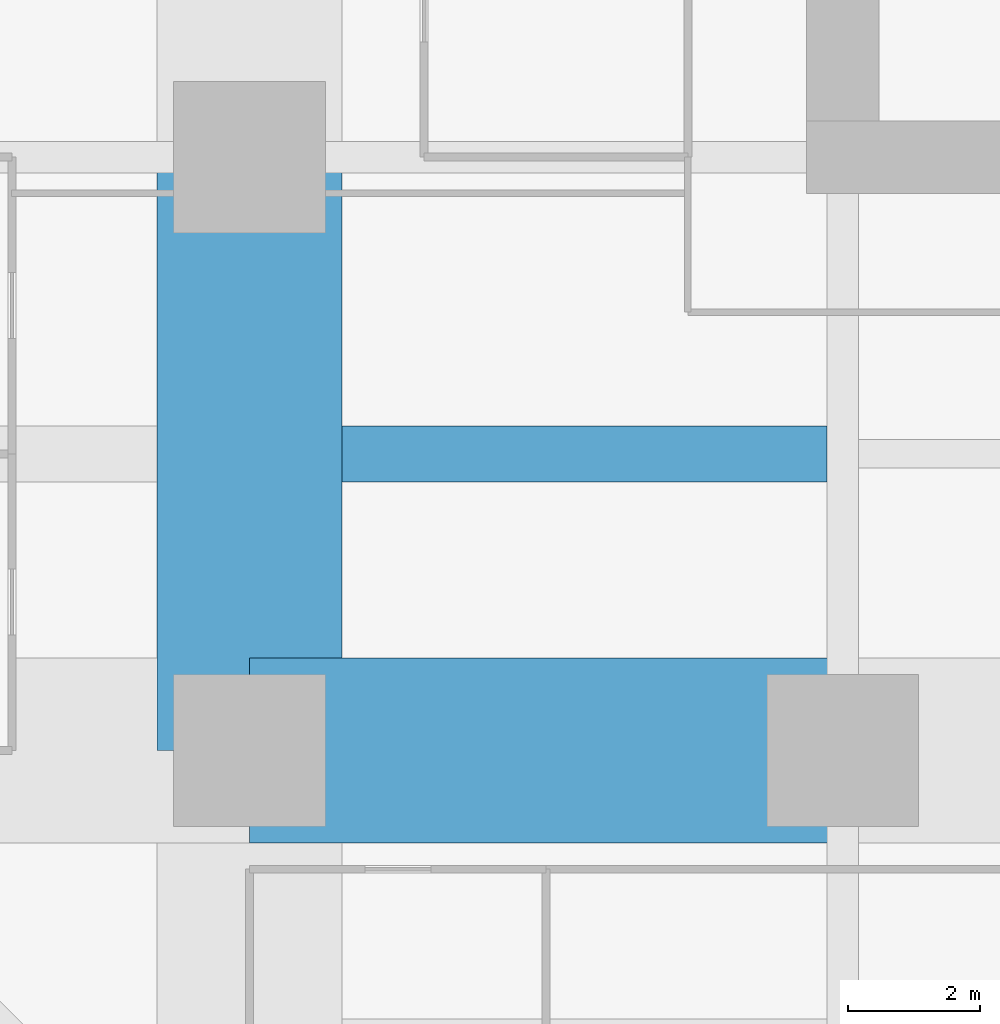
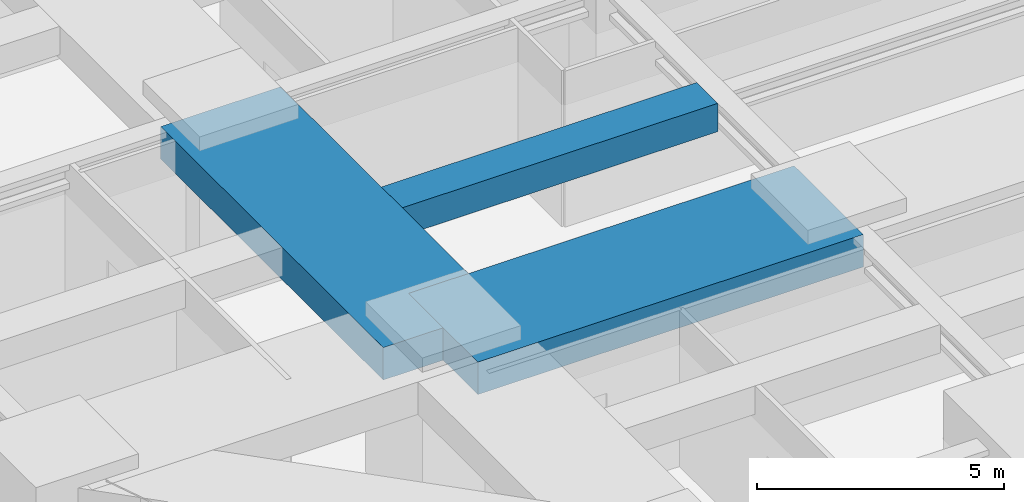
# One storey, part 5 of 42: 3 beams.
"""IFC4 building model written with IfcOpenShell, lengths in metres."""

from ifc_helpers import new_model, si_unit, direction, frame, origin, origin_2d, place, context, subcontext, project, spatial, rectangle, extrude, material, material_profile, profile_set, type_object, element, save


model = new_model("IFC4")

# Units and contexts
model_context = context("Model", 3, precision=1e-05, world=origin(), true_north=direction((0.0, 1.0)))
body_context = subcontext(model_context, "Body", "Model", "MODEL_VIEW")
ifc_project = project(units=[si_unit("LENGTHUNIT", "METRE"), si_unit("AREAUNIT", "SQUARE_METRE"), si_unit("VOLUMEUNIT", "CUBIC_METRE"), si_unit("PLANEANGLEUNIT", "RADIAN"), si_unit("MASSUNIT", "GRAM", prefix="KILO")], contexts=[model_context])

# Site, building, storey
site_placement = place(None, origin())
site = spatial("IfcSite", under=ifc_project, at=site_placement, CompositionType="ELEMENT")
building_placement = place(site_placement, origin())
building = spatial("IfcBuilding", under=site, at=building_placement, Name="Zorevar Civic Tower", CompositionType="ELEMENT")
storey_placement = place(building_placement, frame((0.0, 0.0, 75.800048828125)))
storey = spatial("IfcBuildingStorey", under=building, at=storey_placement, Name="L18", CompositionType="ELEMENT", Elevation=75.800048828125)

# Beams
ifc_material_1 = material(Name="Concrete C50/60", Category="concrete")
ifc_material_profile_1 = material_profile(ifc_material_1, rectangle(XDim=2.800048828125, YDim=0.800048828125, at=origin_2d()), Name="RC 2800x800")
ifc_profile_set_1 = profile_set([ifc_material_profile_1], Name="Concrete C50/60")
beam_type_1 = type_object("IfcBeamType", Name="Beam RC 2800x800", PredefinedType="BEAM", material=ifc_profile_set_1)
for number, where, z_axis, x_axis, name in (
    (1, (9.0, 9.0, 3.449951171875), (1.0, 0.0, 0.0), (0.0, 1.0, 0.0), "Girder L19"),
    (2, (9.0, 9.0, 3.449951171875), (0.0, 1.0, 0.0), (-1.0, 0.0, 0.0), "Girder L19"),
):
    element("IfcBeam", number, at=place(storey_placement, frame(where, z_axis=z_axis, x_axis=x_axis)), inside=storey, type_object=beam_type_1, Name=name, PredefinedType="BEAM", context=body_context, shape_type="SweptSolid", body=[
        extrude(rectangle(XDim=2.800048828125, YDim=0.800048828125, at=origin_2d()), origin(), (0.0, 0.0, 1.0), 9.0),
    ])
ifc_material_2 = material(Name="Concrete C50/60", Category="concrete")
ifc_material_profile_2 = material_profile(ifc_material_2, rectangle(XDim=0.85009765625, YDim=0.699951171875, at=origin_2d()), Name="RC 850x700")
ifc_profile_set_2 = profile_set([ifc_material_profile_2], Name="Concrete C50/60")
beam_type_2 = type_object("IfcBeamType", Name="Beam RC 850x700", PredefinedType="BEAM", material=ifc_profile_set_2)
beam_placement = place(storey_placement, frame((10.39990234375, 13.5, 3.5), z_axis=(1.0, 0.0, 0.0), x_axis=(0.0, 1.0, 0.0)))
element("IfcBeam", 3, at=beam_placement, inside=storey, type_object=beam_type_2, Name="Secondary beam L19", PredefinedType="BEAM", context=body_context, shape_type="SweptSolid", body=[
    extrude(rectangle(XDim=0.85009765625, YDim=0.699951171875, at=origin_2d()), origin(), (0.0, 0.0, 1.0), 7.362060546875),
])

save(model, "model.ifc")
